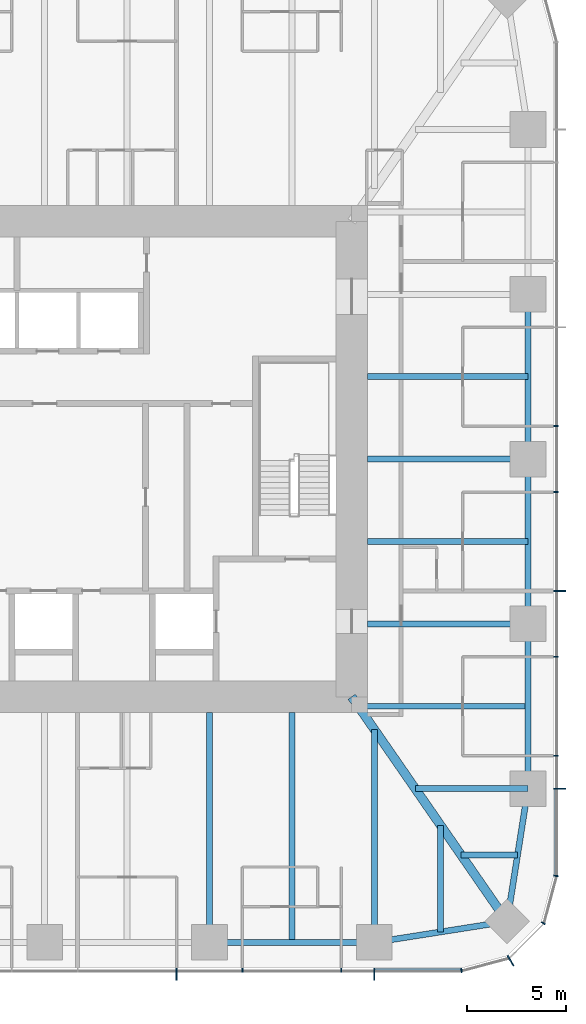
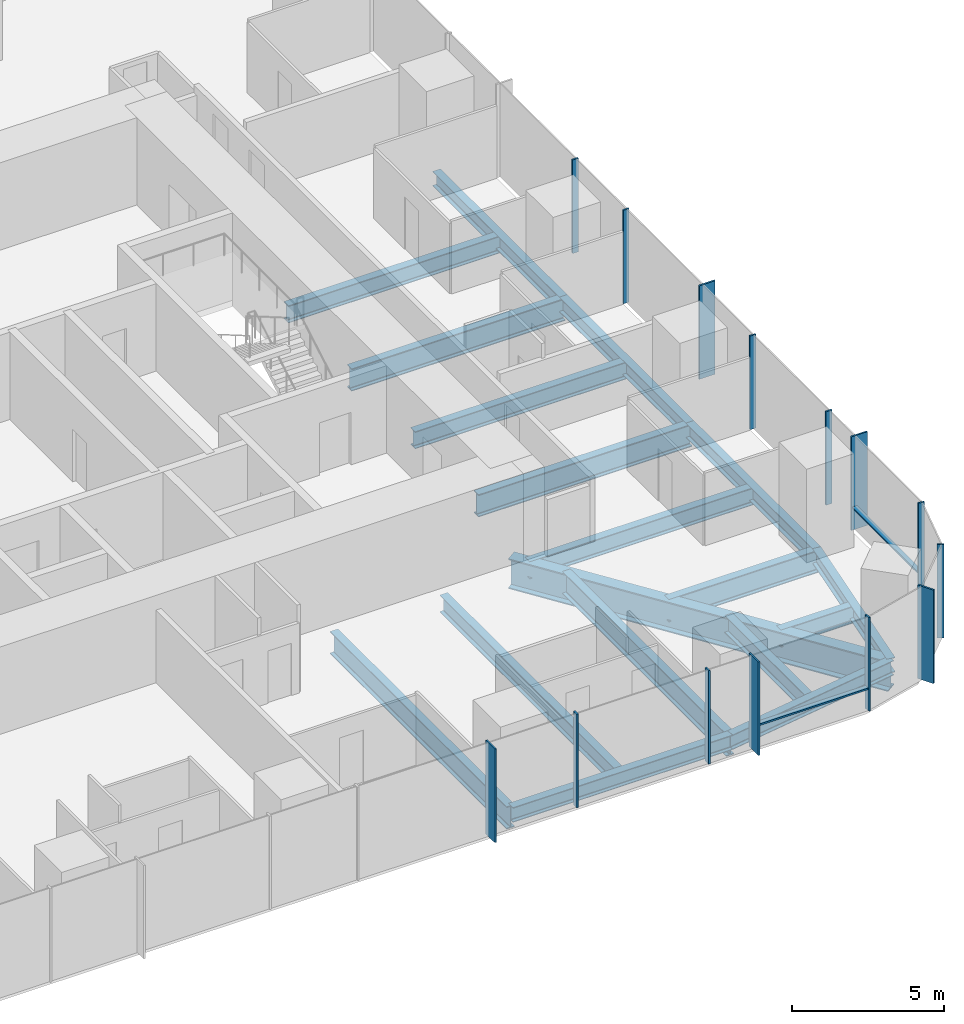
# One storey, part 4 of 13: 18 beams, 16 members, 3 elements without a shape of their own.
"""IFC4 building model written with IfcOpenShell, lengths in metres."""

from ifc_helpers import new_model, si_unit, direction, frame, origin, origin_2d, place, context, subcontext, project, spatial, rectangle, i_section, extrude, material, material_profile, profile_set, type_object, element, aggregate, save


model = new_model("IFC4")

# Units and contexts
model_context = context("Model", 3, precision=1e-05, world=origin(), true_north=direction((0.0, 1.0)))
body_context = subcontext(model_context, "Body", "Model", "MODEL_VIEW")
ifc_project = project(units=[si_unit("LENGTHUNIT", "METRE"), si_unit("AREAUNIT", "SQUARE_METRE"), si_unit("VOLUMEUNIT", "CUBIC_METRE"), si_unit("PLANEANGLEUNIT", "RADIAN"), si_unit("MASSUNIT", "GRAM", prefix="KILO")], contexts=[model_context])

# Site, building, storey
site_placement = place(None, origin())
site = spatial("IfcSite", under=ifc_project, at=site_placement, CompositionType="ELEMENT")
building_placement = place(site_placement, origin())
building = spatial("IfcBuilding", under=site, at=building_placement, Name="Khuree Lantern Residences", CompositionType="ELEMENT")
storey_placement = place(building_placement, frame((0.0, 0.0, 248.25)))
storey = spatial("IfcBuildingStorey", under=building, at=storey_placement, Name="L62", CompositionType="ELEMENT", Elevation=248.25)

# Beams
ifc_material_1 = material(Name="Steel S355", Category="steel")
ifc_material_profile_1 = material_profile(ifc_material_1, i_section(OverallWidth=0.300048828125, OverallDepth=0.68994140625, WebThickness=0.014404296875, FlangeThickness=0.027099609375, FilletRadius=0.027099609375, at=origin_2d()), Name="HE 700 A")
ifc_profile_set_1 = profile_set([ifc_material_profile_1], Name="Steel S355")
beam_type_1 = type_object("IfcBeamType", Name="B-34 SECONDARY BEAM HE 700 A", PredefinedType="BEAM", material=ifc_profile_set_1)
for number, where, z_axis, x_axis, name in (
    (1, (24.39990234375, 4.159912109375, -0.594970703125), (-1.0, 0.0, 0.0), (0.0, -1.0, 0.0), "Secondary beam E3"),
    (2, (24.39990234375, -4.159912109375, -0.594970703125), (-1.0, 0.0, 0.0), (0.0, -1.0, 0.0), "Secondary beam E4"),
):
    element("IfcBeam", number, at=place(storey_placement, frame(where, z_axis=z_axis, x_axis=x_axis)), inside=storey, type_object=beam_type_1, Name=name, PredefinedType="BEAM", context=body_context, shape_type="SweptSolid", body=[
        extrude(i_section(OverallWidth=0.300048828125, OverallDepth=0.68994140625, WebThickness=0.014404296875, FlangeThickness=0.027099609375, FilletRadius=0.027099609375, at=origin_2d()), origin(), (0.0, 0.0, 1.0), 8.099853515625),
    ])
beam_1_placement = place(storey_placement, frame((24.39990234375, -12.47998046875, -0.594970703125), z_axis=(-1.0, 0.0, 0.0), x_axis=(0.0, -1.0, 0.0)))
element("IfcBeam", 3, at=beam_1_placement, inside=storey, type_object=beam_type_1, Name="Secondary beam E5", PredefinedType="BEAM", context=body_context, shape_type="SweptSolid", body=[
    extrude(i_section(OverallWidth=0.300048828125, OverallDepth=0.68994140625, WebThickness=0.014404296875, FlangeThickness=0.027099609375, FilletRadius=0.027099609375, at=origin_2d()), origin(), (0.0, 0.0, 1.0), 8.56787109375),
])
beam_2_placement = place(storey_placement, frame((23.872802734375, -19.992919921875, -0.594970703125), z_axis=(-1.0, 0.0, 0.0), x_axis=(0.0, -1.0, 0.0)))
element("IfcBeam", 4, at=beam_2_placement, inside=storey, type_object=beam_type_1, Name="Secondary beam E6", PredefinedType="BEAM", context=body_context, shape_type="SweptSolid", body=[
    extrude(i_section(OverallWidth=0.300048828125, OverallDepth=0.68994140625, WebThickness=0.014404296875, FlangeThickness=0.027099609375, FilletRadius=0.027099609375, at=origin_2d()), origin(), (0.0, 0.0, 1.0), 2.845703125),
])
beam_3_placement = place(storey_placement, frame((19.992919921875, -23.872802734375, -0.594970703125), z_axis=(0.0, 1.0, 0.0), x_axis=(-1.0, 0.0, 0.0)))
element("IfcBeam", 5, at=beam_3_placement, inside=storey, type_object=beam_type_1, Name="Secondary beam S1", PredefinedType="BEAM", context=body_context, shape_type="SweptSolid", body=[
    extrude(i_section(OverallWidth=0.300048828125, OverallDepth=0.68994140625, WebThickness=0.014404296875, FlangeThickness=0.027099609375, FilletRadius=0.027099609375, at=origin_2d()), origin(), (0.0, 0.0, 1.0), 5.375732421875),
])
beam_4_placement = place(storey_placement, frame((12.47998046875, -24.39990234375, -0.594970703125), z_axis=(0.0, 1.0, 0.0), x_axis=(-1.0, 0.0, 0.0)))
element("IfcBeam", 6, at=beam_4_placement, inside=storey, type_object=beam_type_1, Name="Secondary beam S2", PredefinedType="BEAM", context=body_context, shape_type="SweptSolid", body=[
    extrude(i_section(OverallWidth=0.300048828125, OverallDepth=0.68994140625, WebThickness=0.014404296875, FlangeThickness=0.027099609375, FilletRadius=0.027099609375, at=origin_2d()), origin(), (0.0, 0.0, 1.0), 11.599853515625),
])
ifc_material_profile_2 = material_profile(ifc_material_1, i_section(OverallWidth=0.300048828125, OverallDepth=0.590087890625, WebThickness=0.012939453125, FlangeThickness=0.02490234375, FilletRadius=0.027099609375, at=origin_2d()), Name="HE 600 A")
ifc_profile_set_2 = profile_set([ifc_material_profile_2], Name="Steel S355")
beam_type_2 = type_object("IfcBeamType", Name="E-34 SPANDREL BEAM HE 600 A", PredefinedType="SPANDREL", material=ifc_profile_set_2)
for number, where, z_axis, x_axis, name in (
    (7, (24.39990234375, 8.320068359375, -0.544921875), (0.0, -1.0, 0.0), (1.0, 0.0, 0.0), "Spandrel beam E3"),
    (8, (24.39990234375, 0.0, -0.544921875), (0.0, -1.0, 0.0), (1.0, 0.0, 0.0), "Spandrel beam E4"),
):
    element("IfcBeam", number, at=place(storey_placement, frame(where, z_axis=z_axis, x_axis=x_axis)), inside=storey, type_object=beam_type_2, Name=name, PredefinedType="SPANDREL", context=body_context, shape_type="SweptSolid", body=[
        extrude(i_section(OverallWidth=0.300048828125, OverallDepth=0.590087890625, WebThickness=0.012939453125, FlangeThickness=0.02490234375, FilletRadius=0.027099609375, at=origin_2d()), origin(), (0.0, 0.0, 1.0), 8.320068359375),
    ])
beam_5_placement = place(storey_placement, frame((24.39990234375, -8.320068359375, -0.544921875), z_axis=(0.0, -1.0, 0.0), x_axis=(1.0, 0.0, 0.0)))
element("IfcBeam", 9, at=beam_5_placement, inside=storey, type_object=beam_type_2, Name="Spandrel beam E5", PredefinedType="SPANDREL", context=body_context, shape_type="SweptSolid", body=[
    extrude(i_section(OverallWidth=0.300048828125, OverallDepth=0.590087890625, WebThickness=0.012939453125, FlangeThickness=0.02490234375, FilletRadius=0.027099609375, at=origin_2d()), origin(), (0.0, 0.0, 1.0), 8.31982421875),
])
for number, where, z_axis, x_axis, name in (
    (10, (24.39990234375, -16.639892578125, -0.544921875), (-0.155299507442, -0.98786743189, 0.0), (0.98786743189, -0.155299507442, 0.0), "Spandrel beam E6"),
    (11, (23.345703125, -23.345703125, -0.544921875), (-0.98786743189, -0.155299507442, 0.0), (0.155299507442, -0.98786743189, 0.0), "Spandrel beam S1"),
):
    element("IfcBeam", number, at=place(storey_placement, frame(where, z_axis=z_axis, x_axis=x_axis)), inside=storey, type_object=beam_type_2, Name=name, PredefinedType="SPANDREL", context=body_context, shape_type="SweptSolid", body=[
        extrude(i_section(OverallWidth=0.300048828125, OverallDepth=0.590087890625, WebThickness=0.012939453125, FlangeThickness=0.02490234375, FilletRadius=0.027099609375, at=origin_2d()), origin(), (0.0, 0.0, 1.0), 6.7880859375),
    ])
beam_6_placement = place(storey_placement, frame((16.639892578125, -24.39990234375, -0.544921875), z_axis=(-1.0, 0.0, 0.0), x_axis=(0.0, -1.0, 0.0)))
element("IfcBeam", 12, at=beam_6_placement, inside=storey, type_object=beam_type_2, Name="Spandrel beam S2", PredefinedType="SPANDREL", context=body_context, shape_type="SweptSolid", body=[
    extrude(i_section(OverallWidth=0.300048828125, OverallDepth=0.590087890625, WebThickness=0.012939453125, FlangeThickness=0.02490234375, FilletRadius=0.027099609375, at=origin_2d()), origin(), (0.0, 0.0, 1.0), 8.31982421875),
])

# Curtain wall, member
ifc_material_2 = material(Name="Bronze anodised aluminium", Category="aluminium")
curtain_wall_type_1 = type_object("IfcCurtainWallType", Name="CW-T2 TOWER CORNER CURTAIN WALL", PredefinedType="USERDEFINED", material=ifc_material_2)
curtain_wall_1_placement = place(storey_placement, origin())
curtain_wall_1 = element("IfcCurtainWall", 13, at=curtain_wall_1_placement, inside=storey, type_object=curtain_wall_type_1, Name="L62 SOUTH-EAST CORNER CURTAIN WALL", ObjectType="Faceted corner curtain wall", PredefinedType="USERDEFINED")
ifc_material_profile_3 = material_profile(ifc_material_2, rectangle(XDim=0.06494140625, YDim=0.60009765625, at=origin_2d()), Name="F1 65X600")
ifc_profile_set_3 = profile_set([ifc_material_profile_3], Name="Bronze anodised aluminium")
member_type_1 = type_object("IfcMemberType", Name="F1 BRONZE FIN MULLION TOWER 65X600", PredefinedType="MULLION", material=ifc_profile_set_3)
member_1_placement = place(storey_placement, frame((23.52490234375, -25.3369140625, 0.0), z_axis=(0.0, 0.0, 1.0), x_axis=(0.866025409797, 0.499999989586, 0.0)))
member_1 = element("IfcMember", 14, at=member_1_placement, type_object=member_type_1, Name="L62 SOUTH-EAST CORNER FIN MULLION 2", PredefinedType="MULLION", context=body_context, shape_type="SweptSolid", body=[
    extrude(rectangle(XDim=0.06494140625, YDim=0.60009765625, at=origin_2d()), origin(), (0.0, 0.0, 1.0), 3.75),
])

# Curtain wall, members
curtain_wall_type_2 = type_object("IfcCurtainWallType", Name="CW-T1 TOWER FACE CURTAIN WALL", PredefinedType="USERDEFINED", material=ifc_material_2)
curtain_wall_2_placement = place(storey_placement, origin())
curtain_wall_2 = element("IfcCurtainWall", 15, at=curtain_wall_2_placement, inside=storey, type_object=curtain_wall_type_2, Name="L62 EAST FACE CURTAIN WALL", ObjectType="Stick-built curtain wall", PredefinedType="USERDEFINED")
member_2_placement = place(storey_placement, frame((26.0, -16.639892578125, 0.0), z_axis=(0.0, 0.0, 1.0), x_axis=(0.0, 1.0, 0.0)))
member_2 = element("IfcMember", 16, at=member_2_placement, type_object=member_type_1, Name="L62 EAST FACE FIN MULLION 5", PredefinedType="MULLION", context=body_context, shape_type="SweptSolid", body=[
    extrude(rectangle(XDim=0.06494140625, YDim=0.60009765625, at=origin_2d()), origin(), (0.0, 0.0, 1.0), 3.75),
])
member_3_placement = place(storey_placement, frame((26.0, -6.656005859375, 0.0), z_axis=(0.0, 0.0, 1.0), x_axis=(0.0, 1.0, 0.0)))
member_3 = element("IfcMember", 17, at=member_3_placement, type_object=member_type_1, Name="L62 EAST FACE FIN MULLION 8", PredefinedType="MULLION", context=body_context, shape_type="SweptSolid", body=[
    extrude(rectangle(XDim=0.06494140625, YDim=0.60009765625, at=origin_2d()), origin(), (0.0, 0.0, 1.0), 3.75),
])

curtain_wall_3_placement = place(storey_placement, origin())
curtain_wall_3 = element("IfcCurtainWall", 18, at=curtain_wall_3_placement, inside=storey, type_object=curtain_wall_type_2, Name="L62 SOUTH FACE CURTAIN WALL", ObjectType="Stick-built curtain wall", PredefinedType="USERDEFINED")
member_4_placement = place(storey_placement, frame((6.656005859375, -26.0, 0.0), z_axis=(0.0, 0.0, 1.0), x_axis=(1.0, 0.0, 0.0)))
member_4 = element("IfcMember", 19, at=member_4_placement, type_object=member_type_1, Name="L62 SOUTH FACE FIN MULLION 53", PredefinedType="MULLION", context=body_context, shape_type="SweptSolid", body=[
    extrude(rectangle(XDim=0.06494140625, YDim=0.60009765625, at=origin_2d()), origin(), (0.0, 0.0, 1.0), 3.75),
])
member_5_placement = place(storey_placement, frame((16.639892578125, -26.0, 0.0), z_axis=(0.0, 0.0, 1.0), x_axis=(1.0, 0.0, 0.0)))
member_5 = element("IfcMember", 20, at=member_5_placement, type_object=member_type_1, Name="L62 SOUTH FACE FIN MULLION 56", PredefinedType="MULLION", context=body_context, shape_type="SweptSolid", body=[
    extrude(rectangle(XDim=0.06494140625, YDim=0.60009765625, at=origin_2d()), origin(), (0.0, 0.0, 1.0), 3.75),
])

# Beams
ifc_material_profile_4 = material_profile(ifc_material_1, i_section(OverallWidth=0.300048828125, OverallDepth=0.89990234375, WebThickness=0.0185546875, FlangeThickness=0.034912109375, FilletRadius=0.030029296875, at=origin_2d()), Name="HE 900 B")
ifc_profile_set_4 = profile_set([ifc_material_profile_4], Name="Steel S355")
beam_type_3 = type_object("IfcBeamType", Name="G-34 GIRDER HE 900 B", PredefinedType="BEAM", material=ifc_profile_set_4)
for number, where, z_axis, x_axis, name in (
    (21, (24.39990234375, 0.0, -0.699951171875), (-1.0, 0.0, 0.0), (0.0, -1.0, 0.0), "Girder E3"),
    (22, (24.39990234375, -8.320068359375, -0.699951171875), (-1.0, 0.0, 0.0), (0.0, -1.0, 0.0), "Girder E4"),
):
    element("IfcBeam", number, at=place(storey_placement, frame(where, z_axis=z_axis, x_axis=x_axis)), inside=storey, type_object=beam_type_3, Name=name, PredefinedType="BEAM", context=body_context, shape_type="SweptSolid", body=[
        extrude(i_section(OverallWidth=0.300048828125, OverallDepth=0.89990234375, WebThickness=0.0185546875, FlangeThickness=0.034912109375, FilletRadius=0.030029296875, at=origin_2d()), origin(), (0.0, 0.0, 1.0), 8.099853515625),
    ])
beam_7_placement = place(storey_placement, frame((24.39990234375, -16.639892578125, -0.699951171875), z_axis=(-1.0, 0.0, 0.0), x_axis=(0.0, -1.0, 0.0)))
element("IfcBeam", 23, at=beam_7_placement, inside=storey, type_object=beam_type_3, Name="Girder E5", PredefinedType="BEAM", context=body_context, shape_type="SweptSolid", body=[
    extrude(i_section(OverallWidth=0.300048828125, OverallDepth=0.89990234375, WebThickness=0.0185546875, FlangeThickness=0.034912109375, FilletRadius=0.030029296875, at=origin_2d()), origin(), (0.0, 0.0, 1.0), 5.69140625),
])
beam_8_placement = place(storey_placement, frame((16.639892578125, -24.39990234375, -0.699951171875), z_axis=(0.0, 1.0, 0.0), x_axis=(-1.0, 0.0, 0.0)))
element("IfcBeam", 24, at=beam_8_placement, inside=storey, type_object=beam_type_3, Name="Girder S1", PredefinedType="BEAM", context=body_context, shape_type="SweptSolid", body=[
    extrude(i_section(OverallWidth=0.300048828125, OverallDepth=0.89990234375, WebThickness=0.0185546875, FlangeThickness=0.034912109375, FilletRadius=0.030029296875, at=origin_2d()), origin(), (0.0, 0.0, 1.0), 10.751220703125),
])
beam_9_placement = place(storey_placement, frame((8.320068359375, -24.39990234375, -0.699951171875), z_axis=(0.0, 1.0, 0.0), x_axis=(-1.0, 0.0, 0.0)))
element("IfcBeam", 25, at=beam_9_placement, inside=storey, type_object=beam_type_3, Name="Girder S2", PredefinedType="BEAM", context=body_context, shape_type="SweptSolid", body=[
    extrude(i_section(OverallWidth=0.300048828125, OverallDepth=0.89990234375, WebThickness=0.0185546875, FlangeThickness=0.034912109375, FilletRadius=0.030029296875, at=origin_2d()), origin(), (0.0, 0.0, 1.0), 11.599853515625),
])
ifc_material_profile_5 = material_profile(ifc_material_1, i_section(OverallWidth=0.449951171875, OverallDepth=1.199951171875, WebThickness=0.02490234375, FlangeThickness=0.044921875, at=origin_2d()), Name="WELDED I 1200X450X25X45")
ifc_profile_set_5 = profile_set([ifc_material_profile_5], Name="Steel S355")
beam_type_4 = type_object("IfcBeamType", Name="GD-34 CORNER GIRDER WELDED I 1200X450X25X45", PredefinedType="BEAM", material=ifc_profile_set_5)
beam_10_placement = place(storey_placement, frame((23.345703125, -23.345703125, -0.85009765625), z_axis=(-0.56876813501, 0.822497907959, 0.0), x_axis=(-0.822497907959, -0.56876813501, 0.0)))
element("IfcBeam", 26, at=beam_10_placement, inside=storey, type_object=beam_type_4, Name="Corner girder SE", PredefinedType="BEAM", context=body_context, shape_type="SweptSolid", body=[
    extrude(i_section(OverallWidth=0.449951171875, OverallDepth=1.199951171875, WebThickness=0.02490234375, FlangeThickness=0.044921875, at=origin_2d()), origin(), (0.0, 0.0, 1.0), 13.794189453125),
])

# Member
ifc_material_profile_6 = material_profile(ifc_material_2, rectangle(XDim=0.06494140625, YDim=0.219970703125, at=origin_2d()), Name="M1 65X220")
ifc_profile_set_6 = profile_set([ifc_material_profile_6], Name="Bronze anodised aluminium")
member_type_2 = type_object("IfcMemberType", Name="M1 BRONZE MULLION TOWER 65X220", PredefinedType="MULLION", material=ifc_profile_set_6)
member_6_placement = place(storey_placement, frame((21.044921875, -25.811767578125, 0.0), z_axis=(0.0, 0.0, 1.0), x_axis=(0.991444862943, 0.130526180298, 0.0)))
member_6 = element("IfcMember", 27, at=member_6_placement, type_object=member_type_2, Name="L62 SOUTH-EAST CORNER MULLION 1", PredefinedType="MULLION", context=body_context, shape_type="SweptSolid", body=[
    extrude(rectangle(XDim=0.06494140625, YDim=0.219970703125, at=origin_2d()), origin(), (0.0, 0.0, 1.0), 3.75),
])

member_7_placement = place(storey_placement, frame((25.17236328125, -23.429931640625, 0.0), z_axis=(0.0, 0.0, 1.0), x_axis=(0.499999989586, 0.866025409797, 0.0)))
member_7 = element("IfcMember", 28, at=member_7_placement, type_object=member_type_2, Name="L62 SOUTH-EAST CORNER MULLION 3", PredefinedType="MULLION", context=body_context, shape_type="SweptSolid", body=[
    extrude(rectangle(XDim=0.06494140625, YDim=0.219970703125, at=origin_2d()), origin(), (0.0, 0.0, 1.0), 3.75),
])

aggregate(curtain_wall_1, [member_6, member_1, member_7])

member_8_placement = place(storey_placement, frame((25.811767578125, -21.044921875, 0.0), z_axis=(0.0, 0.0, 1.0), x_axis=(0.130526180298, 0.991444862943, 0.0)))
member_8 = element("IfcMember", 29, at=member_8_placement, type_object=member_type_2, Name="L62 EAST FACE MULLION 4", PredefinedType="MULLION", context=body_context, shape_type="SweptSolid", body=[
    extrude(rectangle(XDim=0.06494140625, YDim=0.219970703125, at=origin_2d()), origin(), (0.0, 0.0, 1.0), 3.75),
])

member_9_placement = place(storey_placement, frame((25.81005859375, -14.97607421875, 0.0), z_axis=(0.0, 0.0, 1.0), x_axis=(0.0, 1.0, 0.0)))
member_9 = element("IfcMember", 30, at=member_9_placement, type_object=member_type_2, Name="L62 EAST FACE MULLION 6", PredefinedType="MULLION", context=body_context, shape_type="SweptSolid", body=[
    extrude(rectangle(XDim=0.06494140625, YDim=0.219970703125, at=origin_2d()), origin(), (0.0, 0.0, 1.0), 3.75),
])

member_10_placement = place(storey_placement, frame((25.81005859375, -9.98388671875, 0.0), z_axis=(0.0, 0.0, 1.0), x_axis=(0.0, 1.0, 0.0)))
member_10 = element("IfcMember", 31, at=member_10_placement, type_object=member_type_2, Name="L62 EAST FACE MULLION 7", PredefinedType="MULLION", context=body_context, shape_type="SweptSolid", body=[
    extrude(rectangle(XDim=0.06494140625, YDim=0.219970703125, at=origin_2d()), origin(), (0.0, 0.0, 1.0), 3.75),
])

member_11_placement = place(storey_placement, frame((25.81005859375, -1.6640625, 0.0), z_axis=(0.0, 0.0, 1.0), x_axis=(0.0, 1.0, 0.0)))
member_11 = element("IfcMember", 32, at=member_11_placement, type_object=member_type_2, Name="L62 EAST FACE MULLION 9", PredefinedType="MULLION", context=body_context, shape_type="SweptSolid", body=[
    extrude(rectangle(XDim=0.06494140625, YDim=0.219970703125, at=origin_2d()), origin(), (0.0, 0.0, 1.0), 3.75),
])

member_12_placement = place(storey_placement, frame((25.81005859375, 1.6640625, 0.0), z_axis=(0.0, 0.0, 1.0), x_axis=(0.0, 1.0, 0.0)))
member_12 = element("IfcMember", 33, at=member_12_placement, type_object=member_type_2, Name="L62 EAST FACE MULLION 10", PredefinedType="MULLION", context=body_context, shape_type="SweptSolid", body=[
    extrude(rectangle(XDim=0.06494140625, YDim=0.219970703125, at=origin_2d()), origin(), (0.0, 0.0, 1.0), 3.75),
])

member_13_placement = place(storey_placement, frame((9.98388671875, -25.81005859375, 0.0), z_axis=(0.0, 0.0, 1.0), x_axis=(1.0, 0.0, 0.0)))
member_13 = element("IfcMember", 34, at=member_13_placement, type_object=member_type_2, Name="L62 SOUTH FACE MULLION 54", PredefinedType="MULLION", context=body_context, shape_type="SweptSolid", body=[
    extrude(rectangle(XDim=0.06494140625, YDim=0.219970703125, at=origin_2d()), origin(), (0.0, 0.0, 1.0), 3.75),
])

member_14_placement = place(storey_placement, frame((14.97607421875, -25.81005859375, 0.0), z_axis=(0.0, 0.0, 1.0), x_axis=(1.0, 0.0, 0.0)))
member_14 = element("IfcMember", 35, at=member_14_placement, type_object=member_type_2, Name="L62 SOUTH FACE MULLION 55", PredefinedType="MULLION", context=body_context, shape_type="SweptSolid", body=[
    extrude(rectangle(XDim=0.06494140625, YDim=0.219970703125, at=origin_2d()), origin(), (0.0, 0.0, 1.0), 3.75),
])

ifc_material_profile_7 = material_profile(ifc_material_2, rectangle(XDim=0.179931640625, YDim=0.06494140625, at=origin_2d()), Name="T1 180X65")
ifc_profile_set_7 = profile_set([ifc_material_profile_7], Name="Bronze anodised aluminium")
member_type_3 = type_object("IfcMemberType", Name="TRANSOM T1 TOWER 180X65", PredefinedType="USERDEFINED", material=ifc_profile_set_7)
member_15_placement = place(storey_placement, frame((25.820068359375, -21.00146484375, 0.89990234375), z_axis=(0.0, 1.0, 0.0), x_axis=(-1.0, 0.0, 0.0)))
member_15 = element("IfcMember", 36, at=member_15_placement, type_object=member_type_3, Name="L62 EAST FACE TRANSOM 4.1", ObjectType="Transom", PredefinedType="USERDEFINED", context=body_context, shape_type="SweptSolid", body=[
    extrude(rectangle(XDim=0.179931640625, YDim=0.06494140625, at=origin_2d()), origin(), (0.0, 0.0, 1.0), 4.328857421875),
])

aggregate(curtain_wall_2, [member_8, member_2, member_9, member_10, member_3, member_11, member_12, member_15])

member_16_placement = place(storey_placement, frame((16.672607421875, -25.820068359375, 0.89990234375), z_axis=(1.0, 0.0, 0.0), x_axis=(0.0, 1.0, 0.0)))
member_16 = element("IfcMember", 37, at=member_16_placement, type_object=member_type_3, Name="L62 SOUTH FACE TRANSOM 56.1", ObjectType="Transom", PredefinedType="USERDEFINED", context=body_context, shape_type="SweptSolid", body=[
    extrude(rectangle(XDim=0.179931640625, YDim=0.06494140625, at=origin_2d()), origin(), (0.0, 0.0, 1.0), 4.328857421875),
])

aggregate(curtain_wall_3, [member_4, member_13, member_14, member_5, member_16])

save(model, "model.ifc")
